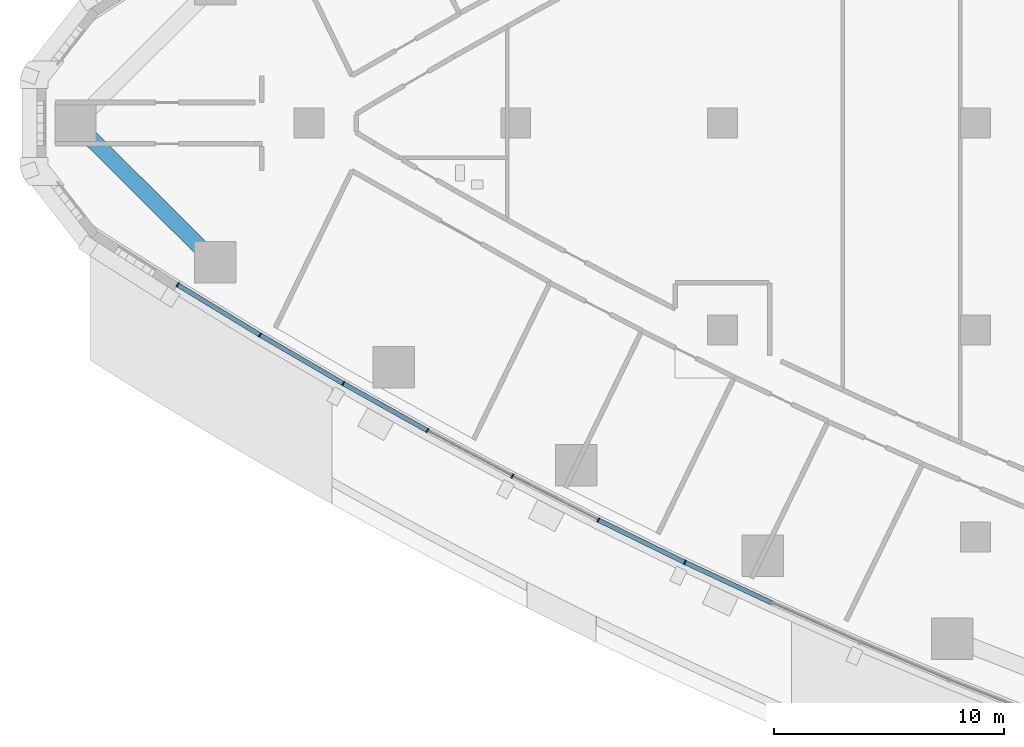
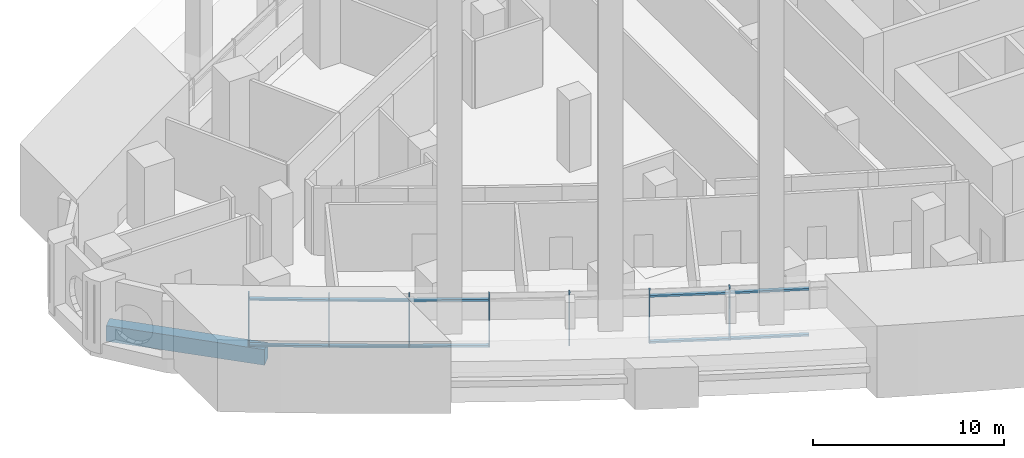
# One storey, part 2 of 20: 17 members, 1 beam, 3 elements without a shape of their own.
"""IFC4 building model written with IfcOpenShell, lengths in metres."""

from ifc_helpers import new_model, si_unit, direction, frame, origin, origin_2d, place, context, subcontext, project, spatial, rectangle, extrude, material, layer, layer_set, material_profile, profile_set, type_object, element, aggregate, save


model = new_model("IFC4")

# Units and contexts
model_context = context("Model", 3, precision=1e-05, world=origin(), true_north=direction((0.0, 1.0)))
body_context = subcontext(model_context, "Body", "Model", "MODEL_VIEW")
ifc_project = project(units=[si_unit("LENGTHUNIT", "METRE"), si_unit("AREAUNIT", "SQUARE_METRE"), si_unit("VOLUMEUNIT", "CUBIC_METRE"), si_unit("PLANEANGLEUNIT", "RADIAN"), si_unit("MASSUNIT", "GRAM", prefix="KILO")], contexts=[model_context])

# Site, building, storey
site_placement = place(None, origin())
site = spatial("IfcSite", under=ifc_project, at=site_placement, CompositionType="ELEMENT")
building_placement = place(site_placement, origin())
building = spatial("IfcBuilding", under=site, at=building_placement, Name="Ostrand Prow Hotel Tower", CompositionType="ELEMENT")
storey_placement = place(building_placement, frame((0.0, 0.0, 35.0)))
storey = spatial("IfcBuildingStorey", under=building, at=storey_placement, Name="L06", CompositionType="ELEMENT", Elevation=35.0)

# Beam
ifc_material_1 = material(Name="Concrete C80/95", Category="concrete")
ifc_material_profile_1 = material_profile(ifc_material_1, rectangle(XDim=0.699951171875, YDim=1.0, at=origin_2d()), Name="RC 700x1000")
ifc_profile_set_1 = profile_set([ifc_material_profile_1], Name="Concrete C80/95")
beam_type = type_object("IfcBeamType", Name="Edge beam 700x1000 C80/95", PredefinedType="SPANDREL", material=ifc_profile_set_1)
beam_placement = place(storey_placement, frame((5.848388671875, 0.0, -0.800048828125), z_axis=(0.709211674915, -0.70499560294, 0.0), x_axis=(0.70499560294, 0.709211674915, 0.0)))
element("IfcBeam", 1, at=beam_placement, inside=storey, type_object=beam_type, Name="Edge beam P-S1", PredefinedType="SPANDREL", context=body_context, shape_type="SweptSolid", body=[
    extrude(rectangle(XDim=0.699951171875, YDim=1.0, at=origin_2d()), origin(), (0.0, 0.0, 1.0), 8.5703125),
])

# Curtain wall, members
ifc_material_2 = material(Name="Insulated glass in bronze anodised frame", Category="glass")
ifc_layer = layer(ifc_material_2, 0.199951171875)
ifc_layer_set = layer_set([ifc_layer], Name="Insulated glass in bronze anodised frame")
curtain_wall_type = type_object("IfcCurtainWallType", Name="Sky lobby full-height curtain wall", PredefinedType="NOTDEFINED", material=ifc_layer_set)
curtain_wall_1_placement = place(storey_placement, origin())
curtain_wall_1 = element("IfcCurtainWall", 2, at=curtain_wall_1_placement, inside=storey, type_object=curtain_wall_type, Name="CW3 run CWS1", PredefinedType="NOTDEFINED")
ifc_material_3 = material(Name="Bronze anodised aluminium", Category="aluminium")
ifc_material_profile_2 = material_profile(ifc_material_3, rectangle(XDim=0.199951171875, YDim=0.06005859375, at=origin_2d()), Name="Mullion 60x200 bronze anodised aluminium")
ifc_profile_set_2 = profile_set([ifc_material_profile_2], Name="Bronze anodised aluminium")
member_type_1 = type_object("IfcMemberType", Name="Mullion 60x200 bronze anodised aluminium", PredefinedType="MULLION", material=ifc_profile_set_2)
member_1_placement = place(storey_placement, frame((10.29443359375, -7.031494140625, 0.89990234375), z_axis=(0.0, 0.0, 1.0), x_axis=(0.519830761515, 0.854269266322, 0.0)))
member_1 = element("IfcMember", 3, at=member_1_placement, type_object=member_type_1, Name="CW3 mullion 1", PredefinedType="MULLION", context=body_context, shape_type="SweptSolid", body=[
    extrude(rectangle(XDim=0.199951171875, YDim=0.06005859375, at=origin_2d()), origin(), (0.0, 0.0, 1.0), 3.400146484375),
])
member_2_placement = place(storey_placement, frame((13.87744140625, -9.2119140625, 0.89990234375), z_axis=(0.0, 0.0, 1.0), x_axis=(0.50402272292, 0.863690392896, 0.0)))
member_2 = element("IfcMember", 4, at=member_2_placement, type_object=member_type_1, Name="CW3 mullion 2", PredefinedType="MULLION", context=body_context, shape_type="SweptSolid", body=[
    extrude(rectangle(XDim=0.199951171875, YDim=0.06005859375, at=origin_2d()), origin(), (0.0, 0.0, 1.0), 3.400146484375),
])
member_3_placement = place(storey_placement, frame((17.5, -11.325927734375, 0.89990234375), z_axis=(0.0, 0.0, 1.0), x_axis=(0.50402272292, 0.863690392896, 0.0)))
member_3 = element("IfcMember", 5, at=member_3_placement, type_object=member_type_1, Name="CW3 mullion 3", PredefinedType="MULLION", context=body_context, shape_type="SweptSolid", body=[
    extrude(rectangle(XDim=0.199951171875, YDim=0.06005859375, at=origin_2d()), origin(), (0.0, 0.0, 1.0), 3.400146484375),
])

curtain_wall_2_placement = place(storey_placement, origin())
curtain_wall_2 = element("IfcCurtainWall", 6, at=curtain_wall_2_placement, inside=storey, type_object=curtain_wall_type, Name="CW3 run CWS2", PredefinedType="NOTDEFINED")
member_4_placement = place(storey_placement, frame((21.160888671875, -13.372802734375, 0.89990234375), z_axis=(0.0, 0.0, 1.0), x_axis=(0.471899992481, 0.881652083929, 0.0)))
member_4 = element("IfcMember", 7, at=member_4_placement, type_object=member_type_1, Name="CW3 mullion 2", PredefinedType="MULLION", context=body_context, shape_type="SweptSolid", body=[
    extrude(rectangle(XDim=0.199951171875, YDim=0.06005859375, at=origin_2d()), origin(), (0.0, 0.0, 1.0), 3.400146484375),
])
member_5_placement = place(storey_placement, frame((24.858642578125, -15.35205078125, 0.89990234375), z_axis=(0.0, 0.0, 1.0), x_axis=(0.455596179055, 0.890186565631, 0.0)))
member_5 = element("IfcMember", 8, at=member_5_placement, type_object=member_type_1, Name="CW3 mullion 3", PredefinedType="MULLION", context=body_context, shape_type="SweptSolid", body=[
    extrude(rectangle(XDim=0.199951171875, YDim=0.06005859375, at=origin_2d()), origin(), (0.0, 0.0, 1.0), 3.400146484375),
])
member_6_placement = place(storey_placement, frame((28.59228515625, -17.262939453125, 0.89990234375), z_axis=(0.0, 0.0, 1.0), x_axis=(0.455596179055, 0.890186565631, 0.0)))
member_6 = element("IfcMember", 9, at=member_6_placement, type_object=member_type_1, Name="CW3 mullion 4", PredefinedType="MULLION", context=body_context, shape_type="SweptSolid", body=[
    extrude(rectangle(XDim=0.199951171875, YDim=0.06005859375, at=origin_2d()), origin(), (0.0, 0.0, 1.0), 3.400146484375),
])

# Curtain wall, member
curtain_wall_3_placement = place(storey_placement, origin())
curtain_wall_3 = element("IfcCurtainWall", 10, at=curtain_wall_3_placement, inside=storey, type_object=curtain_wall_type, Name="CW3 run CWS3", PredefinedType="NOTDEFINED")
member_7_placement = place(storey_placement, frame((32.360595703125, -19.10498046875, 0.89990234375), z_axis=(0.0, 0.0, 1.0), x_axis=(0.422529678615, 0.906349088757, 0.0)))
member_7 = element("IfcMember", 11, at=member_7_placement, type_object=member_type_1, Name="CW3 mullion 2", PredefinedType="MULLION", context=body_context, shape_type="SweptSolid", body=[
    extrude(rectangle(XDim=0.199951171875, YDim=0.06005859375, at=origin_2d()), origin(), (0.0, 0.0, 1.0), 3.400146484375),
])

# Member
ifc_material_4 = material(Name="Bronze anodised aluminium", Category="aluminium")
ifc_material_profile_3 = material_profile(ifc_material_4, rectangle(XDim=0.199951171875, YDim=0.1201171875, at=origin_2d()), Name="Transom 120x200 bronze anodised aluminium")
ifc_profile_set_3 = profile_set([ifc_material_profile_3], Name="Bronze anodised aluminium")
member_type_2 = type_object("IfcMemberType", Name="Transom 120x200 bronze anodised aluminium", PredefinedType="USERDEFINED", material=ifc_profile_set_3)
member_8_placement = place(storey_placement, frame((10.320068359375, -7.047119140625, 0.9599609375), z_axis=(0.8542612678, -0.519843905741, 0.0), x_axis=(0.519843905741, 0.8542612678, 0.0)))
member_8 = element("IfcMember", 12, at=member_8_placement, type_object=member_type_2, Name="CW3 transom 1.1", ObjectType="TRANSOM", PredefinedType="USERDEFINED", context=body_context, shape_type="SweptSolid", body=[
    extrude(rectangle(XDim=0.199951171875, YDim=0.1201171875, at=origin_2d()), origin(), (0.0, 0.0, 1.0), 4.13427734375),
])

member_9_placement = place(storey_placement, frame((10.320068359375, -7.047119140625, 3.89990234375), z_axis=(0.8542612678, -0.519843905741, 0.0), x_axis=(0.519843905741, 0.8542612678, 0.0)))
member_9 = element("IfcMember", 13, at=member_9_placement, type_object=member_type_2, Name="CW3 transom 1.2", ObjectType="TRANSOM", PredefinedType="USERDEFINED", context=body_context, shape_type="SweptSolid", body=[
    extrude(rectangle(XDim=0.199951171875, YDim=0.1201171875, at=origin_2d()), origin(), (0.0, 0.0, 1.0), 4.13427734375),
])

member_10_placement = place(storey_placement, frame((13.9033203125, -9.22705078125, 0.9599609375), z_axis=(0.863697501622, -0.504010541251, 0.0), x_axis=(0.504010541251, 0.863697501622, 0.0)))
member_10 = element("IfcMember", 14, at=member_10_placement, type_object=member_type_2, Name="CW3 transom 2.1", ObjectType="TRANSOM", PredefinedType="USERDEFINED", context=body_context, shape_type="SweptSolid", body=[
    extrude(rectangle(XDim=0.199951171875, YDim=0.1201171875, at=origin_2d()), origin(), (0.0, 0.0, 1.0), 4.13427734375),
])

member_11_placement = place(storey_placement, frame((13.9033203125, -9.22705078125, 3.89990234375), z_axis=(0.863697501622, -0.504010541251, 0.0), x_axis=(0.504010541251, 0.863697501622, 0.0)))
member_11 = element("IfcMember", 15, at=member_11_placement, type_object=member_type_2, Name="CW3 transom 2.2", ObjectType="TRANSOM", PredefinedType="USERDEFINED", context=body_context, shape_type="SweptSolid", body=[
    extrude(rectangle(XDim=0.199951171875, YDim=0.1201171875, at=origin_2d()), origin(), (0.0, 0.0, 1.0), 4.13427734375),
])

aggregate(curtain_wall_1, [member_1, member_2, member_3, member_8, member_9, member_10, member_11])

member_12_placement = place(storey_placement, frame((17.526123046875, -11.340576171875, 0.9599609375), z_axis=(0.872842137405, -0.488002667175, 0.0), x_axis=(0.488002667175, 0.872842137405, 0.0)))
member_12 = element("IfcMember", 16, at=member_12_placement, type_object=member_type_2, Name="CW3 transom 1.1", ObjectType="TRANSOM", PredefinedType="USERDEFINED", context=body_context, shape_type="SweptSolid", body=[
    extrude(rectangle(XDim=0.199951171875, YDim=0.1201171875, at=origin_2d()), origin(), (0.0, 0.0, 1.0), 4.13427734375),
])

member_13_placement = place(storey_placement, frame((17.526123046875, -11.340576171875, 3.89990234375), z_axis=(0.872842137405, -0.488002667175, 0.0), x_axis=(0.488002667175, 0.872842137405, 0.0)))
member_13 = element("IfcMember", 17, at=member_13_placement, type_object=member_type_2, Name="CW3 transom 1.2", ObjectType="TRANSOM", PredefinedType="USERDEFINED", context=body_context, shape_type="SweptSolid", body=[
    extrude(rectangle(XDim=0.199951171875, YDim=0.1201171875, at=origin_2d()), origin(), (0.0, 0.0, 1.0), 4.13427734375),
])

aggregate(curtain_wall_2, [member_4, member_5, member_6, member_12, member_13])

member_14_placement = place(storey_placement, frame((28.619384765625, -17.276123046875, 0.9599609375), z_axis=(0.898395234758, -0.439187889364, 0.0), x_axis=(0.439187889364, 0.898395234758, 0.0)))
member_14 = element("IfcMember", 18, at=member_14_placement, type_object=member_type_2, Name="CW3 transom 1.1", ObjectType="TRANSOM", PredefinedType="USERDEFINED", context=body_context, shape_type="SweptSolid", body=[
    extrude(rectangle(XDim=0.199951171875, YDim=0.1201171875, at=origin_2d()), origin(), (0.0, 0.0, 1.0), 4.13427734375),
])

member_15_placement = place(storey_placement, frame((28.619384765625, -17.276123046875, 3.89990234375), z_axis=(0.898395234758, -0.439187889364, 0.0), x_axis=(0.439187889364, 0.898395234758, 0.0)))
member_15 = element("IfcMember", 19, at=member_15_placement, type_object=member_type_2, Name="CW3 transom 1.2", ObjectType="TRANSOM", PredefinedType="USERDEFINED", context=body_context, shape_type="SweptSolid", body=[
    extrude(rectangle(XDim=0.199951171875, YDim=0.1201171875, at=origin_2d()), origin(), (0.0, 0.0, 1.0), 4.13427734375),
])

member_16_placement = place(storey_placement, frame((32.3876953125, -19.117431640625, 0.9599609375), z_axis=(0.906338458793, -0.422552479714, 0.0), x_axis=(0.422552479714, 0.906338458793, 0.0)))
member_16 = element("IfcMember", 20, at=member_16_placement, type_object=member_type_2, Name="CW3 transom 2.1", ObjectType="TRANSOM", PredefinedType="USERDEFINED", context=body_context, shape_type="SweptSolid", body=[
    extrude(rectangle(XDim=0.199951171875, YDim=0.1201171875, at=origin_2d()), origin(), (0.0, 0.0, 1.0), 4.134521484375),
])

member_17_placement = place(storey_placement, frame((32.3876953125, -19.117431640625, 3.89990234375), z_axis=(0.906338458793, -0.422552479714, 0.0), x_axis=(0.422552479714, 0.906338458793, 0.0)))
member_17 = element("IfcMember", 21, at=member_17_placement, type_object=member_type_2, Name="CW3 transom 2.2", ObjectType="TRANSOM", PredefinedType="USERDEFINED", context=body_context, shape_type="SweptSolid", body=[
    extrude(rectangle(XDim=0.199951171875, YDim=0.1201171875, at=origin_2d()), origin(), (0.0, 0.0, 1.0), 4.134521484375),
])

aggregate(curtain_wall_3, [member_7, member_14, member_15, member_16, member_17])

save(model, "model.ifc")
